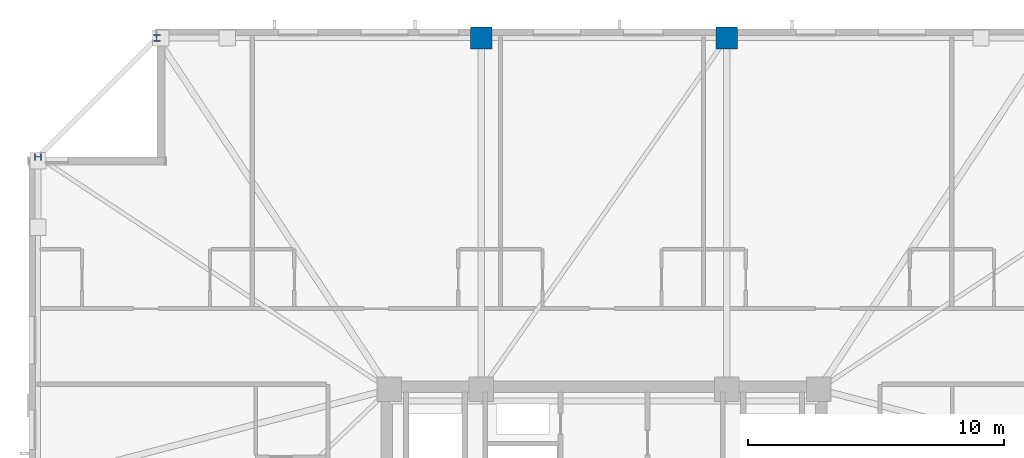
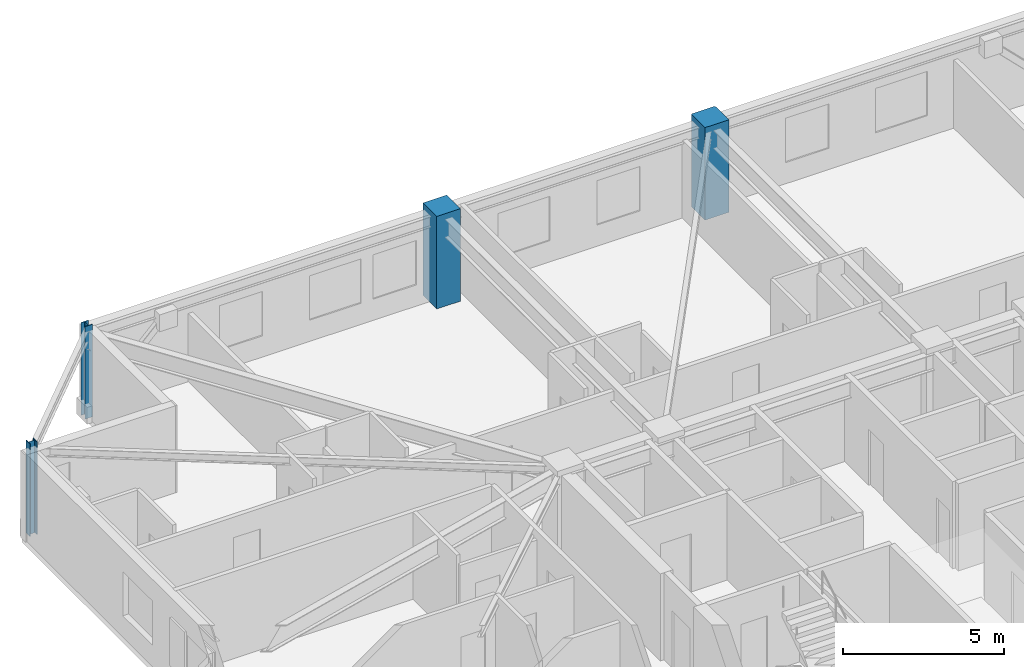
# One storey, part 4 of 17: 4 columns.
"""IFC4 building model written with IfcOpenShell, lengths in metres."""

from ifc_helpers import new_model, si_unit, direction, frame, origin, origin_2d, place, context, subcontext, project, spatial, rectangle, i_section, extrude, material, material_profile, profile_set, type_object, element, save


model = new_model("IFC4")

# Units and contexts
model_context = context("Model", 3, precision=1e-05, world=origin(), true_north=direction((0.0, 1.0)))
body_context = subcontext(model_context, "Body", "Model", "MODEL_VIEW")
ifc_project = project(units=[si_unit("LENGTHUNIT", "METRE"), si_unit("AREAUNIT", "SQUARE_METRE"), si_unit("VOLUMEUNIT", "CUBIC_METRE"), si_unit("PLANEANGLEUNIT", "RADIAN"), si_unit("MASSUNIT", "GRAM", prefix="KILO")], contexts=[model_context])

# Site, building, storey
site_placement = place(None, origin())
site = spatial("IfcSite", under=ifc_project, at=site_placement, CompositionType="ELEMENT")
building_placement = place(site_placement, origin())
building = spatial("IfcBuilding", under=site, at=building_placement, Name="Cairnveth Concourse Tower", CompositionType="ELEMENT")
storey_placement = place(building_placement, frame((0.0, 0.0, 241.0)))
storey = spatial("IfcBuildingStorey", under=building, at=storey_placement, Name="L66", CompositionType="ELEMENT", Elevation=241.0)

# Columns
ifc_material_1 = material(Name="Concrete N65 (65 MPa)", Category="concrete")
ifc_material_profile_1 = material_profile(ifc_material_1, rectangle(XDim=0.85009765625, YDim=0.85009765625, at=origin_2d()), Name="RC-COL-850x850")
ifc_profile_set_1 = profile_set([ifc_material_profile_1], Name="Concrete N65 (65 MPa)")
column_type_1 = type_object("IfcColumnType", Name="PERIMETER PIER COLUMN 850X850", PredefinedType="COLUMN", material=ifc_profile_set_1)
for number, where, z_axis, x_axis, name in (
    (1, (56.800048828125, 61.14990234375, 0.0), (0.0, 0.0, 1.0), (1.0, 0.0, 0.0), "Column P-N2 L66"),
    (2, (47.199951171875, 61.14990234375, 0.0), (0.0, 0.0, 1.0), (1.0, 0.0, 0.0), "Column P-N3 L66"),
):
    element("IfcColumn", number, at=place(storey_placement, frame(where, z_axis=z_axis, x_axis=x_axis)), inside=storey, type_object=column_type_1, Name=name, PredefinedType="COLUMN", context=body_context, shape_type="SweptSolid", body=[
        extrude(rectangle(XDim=0.85009765625, YDim=0.85009765625, at=origin_2d()), origin(), (0.0, 0.0, 1.0), 3.5),
    ])
ifc_material_2 = material(Name="Steel Grade 350", Category="steel")
ifc_material_profile_2 = material_profile(ifc_material_2, i_section(OverallWidth=0.256103515625, OverallDepth=0.260009765625, WebThickness=0.010498046875, FlangeThickness=0.017333984375, FilletRadius=0.012939453125, at=origin_2d()), Name="250UC89.5")
ifc_profile_set_2 = profile_set([ifc_material_profile_2], Name="Steel Grade 350")
column_type_2 = type_object("IfcColumnType", Name="UNIVERSAL STEEL COLUMN 250UC89.5", PredefinedType="COLUMN", material=ifc_profile_set_2)
for number, where, z_axis, x_axis, name in (
    (3, (34.5, 61.14990234375, 0.0), (0.0, 0.0, 1.0), (1.0, 0.0, 0.0), "Column P-N4 L66"),
    (4, (29.85009765625, 56.5, 0.0), (0.0, 0.0, 1.0), (0.0, 1.0, 0.0), "Column P-W1 L66"),
):
    element("IfcColumn", number, at=place(storey_placement, frame(where, z_axis=z_axis, x_axis=x_axis)), inside=storey, type_object=column_type_2, Name=name, PredefinedType="COLUMN", context=body_context, shape_type="SweptSolid", body=[
        extrude(i_section(OverallWidth=0.256103515625, OverallDepth=0.260009765625, WebThickness=0.010498046875, FlangeThickness=0.017333984375, FilletRadius=0.012939453125, at=origin_2d()), origin(), (0.0, 0.0, 1.0), 3.5),
    ])

save(model, "model.ifc")
